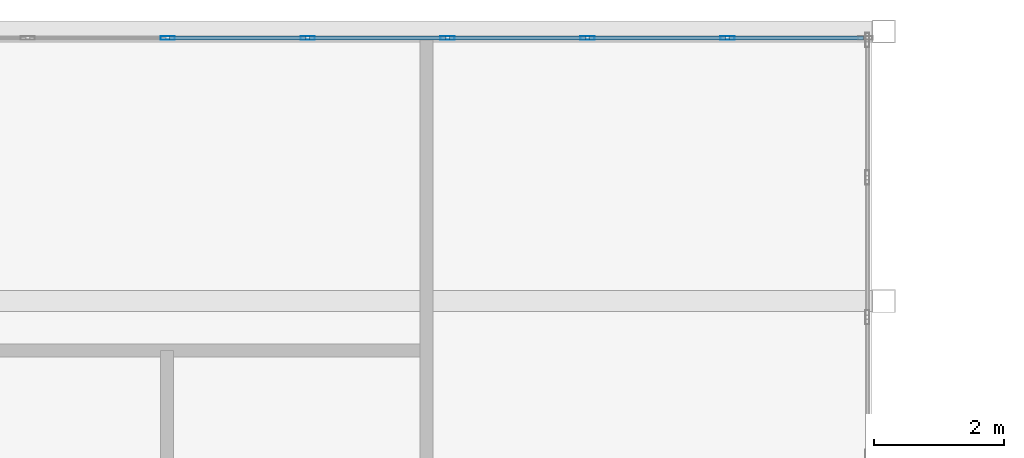
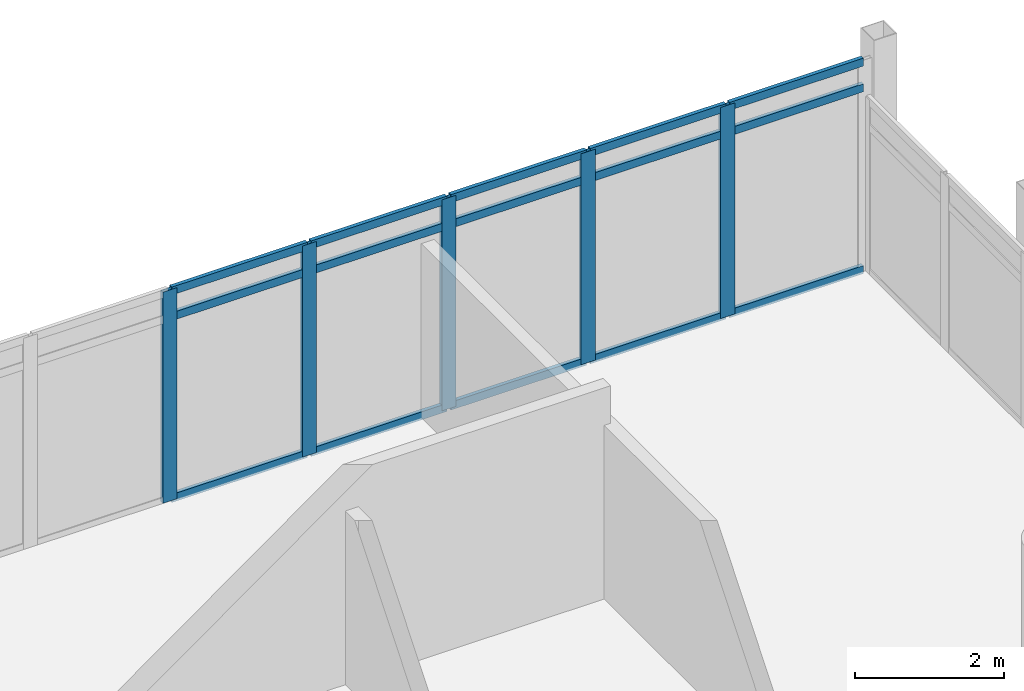
# One storey, part 19 of 29: 20 members, 1 element without a shape of its own.
"""IFC4 building model written with IfcOpenShell, lengths in metres."""

from ifc_helpers import new_model, si_unit, direction, frame, origin, origin_2d, place, context, subcontext, project, spatial, hollow_rectangle, extrude, material, material_profile, profile_set, type_object, element, aggregate, save


model = new_model("IFC4")

# Units and contexts
model_context = context("Model", 3, precision=1e-05, world=origin(), true_north=direction((0.0, 1.0)))
body_context = subcontext(model_context, "Body", "Model", "MODEL_VIEW")
ifc_project = project(units=[si_unit("LENGTHUNIT", "METRE"), si_unit("AREAUNIT", "SQUARE_METRE"), si_unit("VOLUMEUNIT", "CUBIC_METRE"), si_unit("PLANEANGLEUNIT", "RADIAN"), si_unit("MASSUNIT", "GRAM", prefix="KILO")], contexts=[model_context])

# Site, building, storey
site_placement = place(None, origin())
site = spatial("IfcSite", under=ifc_project, at=site_placement, CompositionType="ELEMENT")
building_placement = place(site_placement, origin())
building = spatial("IfcBuilding", under=site, at=building_placement, Name="Ostrander Bayou Hotel Tower", CompositionType="ELEMENT")
storey_placement = place(building_placement, frame((0.0, 0.0, 205.75)))
storey = spatial("IfcBuildingStorey", under=building, at=storey_placement, Name="L51", CompositionType="ELEMENT", Elevation=205.75)

# Curtain wall, members
ifc_material_1 = material(Name="Aluminium and clear glass", Category="aluminium")
curtain_wall_type = type_object("IfcCurtainWallType", Name="CW-BAR glazed wall", PredefinedType="NOTDEFINED", material=ifc_material_1)
curtain_wall_placement = place(storey_placement, origin())
curtain_wall = element("IfcCurtainWall", 1, at=curtain_wall_placement, inside=storey, type_object=curtain_wall_type, Name="CW-BAR L51:SB4N:T", PredefinedType="NOTDEFINED")
ifc_material_2 = material(Name="Aluminium", Category="aluminium")
ifc_material_profile_1 = material_profile(ifc_material_2, hollow_rectangle(XDim=0.06005859375, YDim=0.219970703125, WallThickness=0.00390625, at=origin_2d()))
ifc_profile_set_1 = profile_set([ifc_material_profile_1], Name="Aluminium")
member_type_1 = type_object("IfcMemberType", Name="CW-BR mullion 60 x 220 mm", PredefinedType="MULLION", material=ifc_profile_set_1)
member_1_placement = place(storey_placement, frame((1.077880859375, 27.916015625, 0.0), z_axis=(0.0, 0.0, 1.0), x_axis=(0.0, 1.0, 0.0)))
member_1 = element("IfcMember", 2, at=member_1_placement, type_object=member_type_1, Name="CW-BAR mullion 7", PredefinedType="MULLION", context=body_context, shape_type="SweptSolid", body=[
    extrude(hollow_rectangle(XDim=0.06005859375, YDim=0.219970703125, WallThickness=0.00390625, at=origin_2d()), origin(), (0.0, 0.0, 1.0), 3.449951171875),
])
member_2_placement = place(storey_placement, frame((3.23388671875, 27.916015625, 0.0), z_axis=(0.0, 0.0, 1.0), x_axis=(0.0, 1.0, 0.0)))
member_2 = element("IfcMember", 3, at=member_2_placement, type_object=member_type_1, Name="CW-BAR mullion 8", PredefinedType="MULLION", context=body_context, shape_type="SweptSolid", body=[
    extrude(hollow_rectangle(XDim=0.06005859375, YDim=0.219970703125, WallThickness=0.00390625, at=origin_2d()), origin(), (0.0, 0.0, 1.0), 3.449951171875),
])
member_3_placement = place(storey_placement, frame((5.3896484375, 27.916015625, 0.0), z_axis=(0.0, 0.0, 1.0), x_axis=(0.0, 1.0, 0.0)))
member_3 = element("IfcMember", 4, at=member_3_placement, type_object=member_type_1, Name="CW-BAR mullion 9", PredefinedType="MULLION", context=body_context, shape_type="SweptSolid", body=[
    extrude(hollow_rectangle(XDim=0.06005859375, YDim=0.219970703125, WallThickness=0.00390625, at=origin_2d()), origin(), (0.0, 0.0, 1.0), 3.449951171875),
])
member_4_placement = place(storey_placement, frame((7.54541015625, 27.916015625, 0.0), z_axis=(0.0, 0.0, 1.0), x_axis=(0.0, 1.0, 0.0)))
member_4 = element("IfcMember", 5, at=member_4_placement, type_object=member_type_1, Name="CW-BAR mullion 10", PredefinedType="MULLION", context=body_context, shape_type="SweptSolid", body=[
    extrude(hollow_rectangle(XDim=0.06005859375, YDim=0.219970703125, WallThickness=0.00390625, at=origin_2d()), origin(), (0.0, 0.0, 1.0), 3.449951171875),
])
member_5_placement = place(storey_placement, frame((9.701416015625, 27.916015625, 0.0), z_axis=(0.0, 0.0, 1.0), x_axis=(0.0, 1.0, 0.0)))
member_5 = element("IfcMember", 6, at=member_5_placement, type_object=member_type_1, Name="CW-BAR mullion 11", PredefinedType="MULLION", context=body_context, shape_type="SweptSolid", body=[
    extrude(hollow_rectangle(XDim=0.06005859375, YDim=0.219970703125, WallThickness=0.00390625, at=origin_2d()), origin(), (0.0, 0.0, 1.0), 3.449951171875),
])
ifc_material_3 = material(Name="Aluminium", Category="aluminium")
ifc_material_profile_2 = material_profile(ifc_material_3, hollow_rectangle(XDim=0.06005859375, YDim=0.1298828125, WallThickness=0.00390625, at=origin_2d()))
ifc_profile_set_2 = profile_set([ifc_material_profile_2], Name="Aluminium")
member_type_2 = type_object("IfcMemberType", Name="CW-BR transom 60 x 130 mm", PredefinedType="USERDEFINED", material=ifc_profile_set_2)
member_6_placement = place(storey_placement, frame((1.10791015625, 27.916015625, 0.030029296875), z_axis=(1.0, 0.0, 0.0), x_axis=(0.0, 1.0, 0.0)))
member_6 = element("IfcMember", 7, at=member_6_placement, type_object=member_type_2, Name="CW-BAR transom 7.1", ObjectType="TRANSOM", PredefinedType="USERDEFINED", context=body_context, shape_type="SweptSolid", body=[
    extrude(hollow_rectangle(XDim=0.06005859375, YDim=0.1298828125, WallThickness=0.00390625, at=origin_2d()), origin(), (0.0, 0.0, 1.0), 2.095947265625),
])
member_7_placement = place(storey_placement, frame((1.10791015625, 27.916015625, 3.0), z_axis=(1.0, 0.0, 0.0), x_axis=(0.0, 1.0, 0.0)))
member_7 = element("IfcMember", 8, at=member_7_placement, type_object=member_type_2, Name="CW-BAR transom 7.2", ObjectType="TRANSOM", PredefinedType="USERDEFINED", context=body_context, shape_type="SweptSolid", body=[
    extrude(hollow_rectangle(XDim=0.06005859375, YDim=0.1298828125, WallThickness=0.00390625, at=origin_2d()), origin(), (0.0, 0.0, 1.0), 2.095947265625),
])
member_8_placement = place(storey_placement, frame((1.10791015625, 27.916015625, 3.419921875), z_axis=(1.0, 0.0, 0.0), x_axis=(0.0, 1.0, 0.0)))
member_8 = element("IfcMember", 9, at=member_8_placement, type_object=member_type_2, Name="CW-BAR transom 7.3", ObjectType="TRANSOM", PredefinedType="USERDEFINED", context=body_context, shape_type="SweptSolid", body=[
    extrude(hollow_rectangle(XDim=0.06005859375, YDim=0.1298828125, WallThickness=0.00390625, at=origin_2d()), origin(), (0.0, 0.0, 1.0), 2.095947265625),
])
member_9_placement = place(storey_placement, frame((3.263671875, 27.916015625, 0.030029296875), z_axis=(1.0, 0.0, 0.0), x_axis=(0.0, 1.0, 0.0)))
member_9 = element("IfcMember", 10, at=member_9_placement, type_object=member_type_2, Name="CW-BAR transom 8.1", ObjectType="TRANSOM", PredefinedType="USERDEFINED", context=body_context, shape_type="SweptSolid", body=[
    extrude(hollow_rectangle(XDim=0.06005859375, YDim=0.1298828125, WallThickness=0.00390625, at=origin_2d()), origin(), (0.0, 0.0, 1.0), 2.095947265625),
])
member_10_placement = place(storey_placement, frame((3.263671875, 27.916015625, 3.0), z_axis=(1.0, 0.0, 0.0), x_axis=(0.0, 1.0, 0.0)))
member_10 = element("IfcMember", 11, at=member_10_placement, type_object=member_type_2, Name="CW-BAR transom 8.2", ObjectType="TRANSOM", PredefinedType="USERDEFINED", context=body_context, shape_type="SweptSolid", body=[
    extrude(hollow_rectangle(XDim=0.06005859375, YDim=0.1298828125, WallThickness=0.00390625, at=origin_2d()), origin(), (0.0, 0.0, 1.0), 2.095947265625),
])
member_11_placement = place(storey_placement, frame((3.263671875, 27.916015625, 3.419921875), z_axis=(1.0, 0.0, 0.0), x_axis=(0.0, 1.0, 0.0)))
member_11 = element("IfcMember", 12, at=member_11_placement, type_object=member_type_2, Name="CW-BAR transom 8.3", ObjectType="TRANSOM", PredefinedType="USERDEFINED", context=body_context, shape_type="SweptSolid", body=[
    extrude(hollow_rectangle(XDim=0.06005859375, YDim=0.1298828125, WallThickness=0.00390625, at=origin_2d()), origin(), (0.0, 0.0, 1.0), 2.095947265625),
])
member_12_placement = place(storey_placement, frame((5.419677734375, 27.916015625, 0.030029296875), z_axis=(1.0, 0.0, 0.0), x_axis=(0.0, 1.0, 0.0)))
member_12 = element("IfcMember", 13, at=member_12_placement, type_object=member_type_2, Name="CW-BAR transom 9.1", ObjectType="TRANSOM", PredefinedType="USERDEFINED", context=body_context, shape_type="SweptSolid", body=[
    extrude(hollow_rectangle(XDim=0.06005859375, YDim=0.1298828125, WallThickness=0.00390625, at=origin_2d()), origin(), (0.0, 0.0, 1.0), 2.095703125),
])
member_13_placement = place(storey_placement, frame((5.419677734375, 27.916015625, 3.0), z_axis=(1.0, 0.0, 0.0), x_axis=(0.0, 1.0, 0.0)))
member_13 = element("IfcMember", 14, at=member_13_placement, type_object=member_type_2, Name="CW-BAR transom 9.2", ObjectType="TRANSOM", PredefinedType="USERDEFINED", context=body_context, shape_type="SweptSolid", body=[
    extrude(hollow_rectangle(XDim=0.06005859375, YDim=0.1298828125, WallThickness=0.00390625, at=origin_2d()), origin(), (0.0, 0.0, 1.0), 2.095703125),
])
member_14_placement = place(storey_placement, frame((5.419677734375, 27.916015625, 3.419921875), z_axis=(1.0, 0.0, 0.0), x_axis=(0.0, 1.0, 0.0)))
member_14 = element("IfcMember", 15, at=member_14_placement, type_object=member_type_2, Name="CW-BAR transom 9.3", ObjectType="TRANSOM", PredefinedType="USERDEFINED", context=body_context, shape_type="SweptSolid", body=[
    extrude(hollow_rectangle(XDim=0.06005859375, YDim=0.1298828125, WallThickness=0.00390625, at=origin_2d()), origin(), (0.0, 0.0, 1.0), 2.095703125),
])
member_15_placement = place(storey_placement, frame((7.575439453125, 27.916015625, 0.030029296875), z_axis=(1.0, 0.0, 0.0), x_axis=(0.0, 1.0, 0.0)))
member_15 = element("IfcMember", 16, at=member_15_placement, type_object=member_type_2, Name="CW-BAR transom 10.1", ObjectType="TRANSOM", PredefinedType="USERDEFINED", context=body_context, shape_type="SweptSolid", body=[
    extrude(hollow_rectangle(XDim=0.06005859375, YDim=0.1298828125, WallThickness=0.00390625, at=origin_2d()), origin(), (0.0, 0.0, 1.0), 2.095947265625),
])
member_16_placement = place(storey_placement, frame((7.575439453125, 27.916015625, 3.0), z_axis=(1.0, 0.0, 0.0), x_axis=(0.0, 1.0, 0.0)))
member_16 = element("IfcMember", 17, at=member_16_placement, type_object=member_type_2, Name="CW-BAR transom 10.2", ObjectType="TRANSOM", PredefinedType="USERDEFINED", context=body_context, shape_type="SweptSolid", body=[
    extrude(hollow_rectangle(XDim=0.06005859375, YDim=0.1298828125, WallThickness=0.00390625, at=origin_2d()), origin(), (0.0, 0.0, 1.0), 2.095947265625),
])
member_17_placement = place(storey_placement, frame((7.575439453125, 27.916015625, 3.419921875), z_axis=(1.0, 0.0, 0.0), x_axis=(0.0, 1.0, 0.0)))
member_17 = element("IfcMember", 18, at=member_17_placement, type_object=member_type_2, Name="CW-BAR transom 10.3", ObjectType="TRANSOM", PredefinedType="USERDEFINED", context=body_context, shape_type="SweptSolid", body=[
    extrude(hollow_rectangle(XDim=0.06005859375, YDim=0.1298828125, WallThickness=0.00390625, at=origin_2d()), origin(), (0.0, 0.0, 1.0), 2.095947265625),
])
member_18_placement = place(storey_placement, frame((9.7314453125, 27.916015625, 0.030029296875), z_axis=(1.0, 0.0, 0.0), x_axis=(0.0, 1.0, 0.0)))
member_18 = element("IfcMember", 19, at=member_18_placement, type_object=member_type_2, Name="CW-BAR transom 11.1", ObjectType="TRANSOM", PredefinedType="USERDEFINED", context=body_context, shape_type="SweptSolid", body=[
    extrude(hollow_rectangle(XDim=0.06005859375, YDim=0.1298828125, WallThickness=0.00390625, at=origin_2d()), origin(), (0.0, 0.0, 1.0), 2.065673828125),
])
member_19_placement = place(storey_placement, frame((9.7314453125, 27.916015625, 3.0), z_axis=(1.0, 0.0, 0.0), x_axis=(0.0, 1.0, 0.0)))
member_19 = element("IfcMember", 20, at=member_19_placement, type_object=member_type_2, Name="CW-BAR transom 11.2", ObjectType="TRANSOM", PredefinedType="USERDEFINED", context=body_context, shape_type="SweptSolid", body=[
    extrude(hollow_rectangle(XDim=0.06005859375, YDim=0.1298828125, WallThickness=0.00390625, at=origin_2d()), origin(), (0.0, 0.0, 1.0), 2.065673828125),
])
member_20_placement = place(storey_placement, frame((9.7314453125, 27.916015625, 3.419921875), z_axis=(1.0, 0.0, 0.0), x_axis=(0.0, 1.0, 0.0)))
member_20 = element("IfcMember", 21, at=member_20_placement, type_object=member_type_2, Name="CW-BAR transom 11.3", ObjectType="TRANSOM", PredefinedType="USERDEFINED", context=body_context, shape_type="SweptSolid", body=[
    extrude(hollow_rectangle(XDim=0.06005859375, YDim=0.1298828125, WallThickness=0.00390625, at=origin_2d()), origin(), (0.0, 0.0, 1.0), 2.065673828125),
])
aggregate(curtain_wall, [member_1, member_2, member_3, member_4, member_5, member_6, member_7, member_8, member_9, member_10, member_11, member_12, member_13, member_14, member_15, member_16, member_17, member_18, member_19, member_20])

save(model, "model.ifc")
